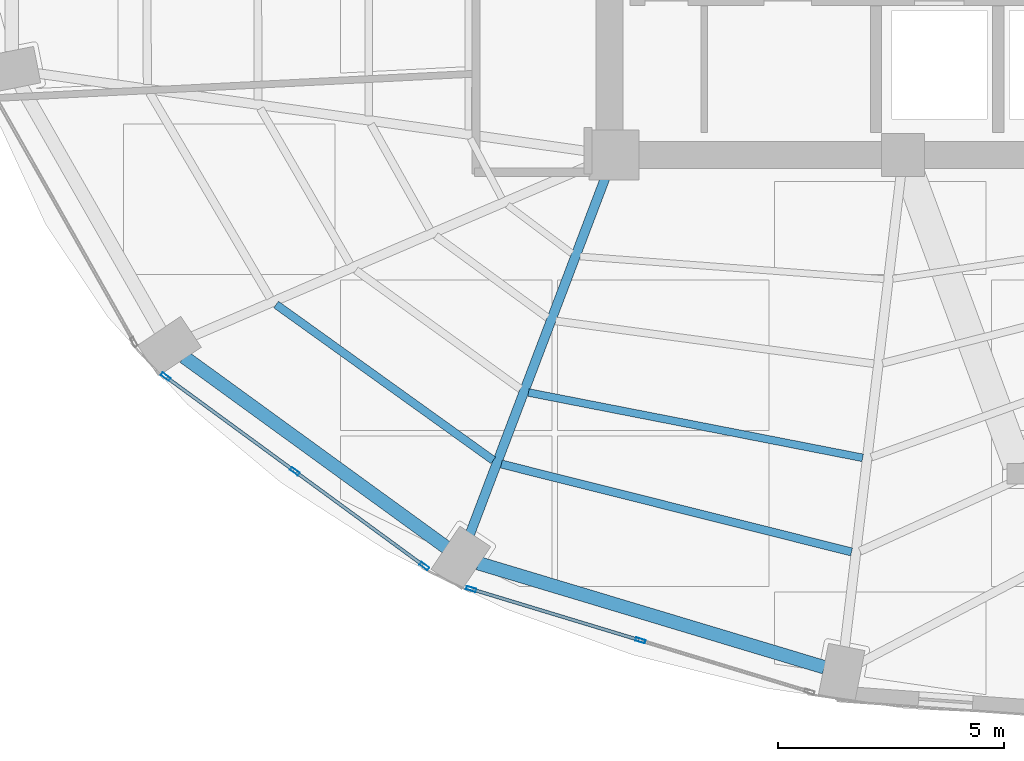
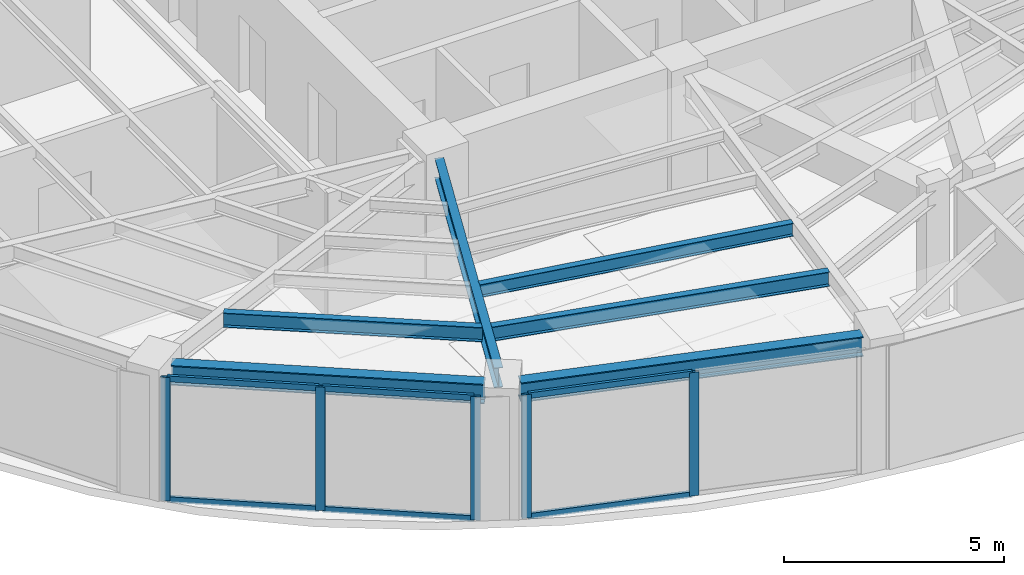
# One storey, part 2 of 20: 11 members, 6 beams, 2 elements without a shape of their own.
"""IFC4 building model written with IfcOpenShell, lengths in metres."""

from ifc_helpers import new_model, si_unit, direction, frame, origin, origin_2d, place, context, subcontext, project, spatial, hollow_rectangle, i_section, extrude, material, layer, layer_set, material_profile, profile_set, type_object, element, aggregate, save


model = new_model("IFC4")

# Units and contexts
model_context = context("Model", 3, precision=1e-05, world=origin(), true_north=direction((0.0, 1.0)))
body_context = subcontext(model_context, "Body", "Model", "MODEL_VIEW")
ifc_project = project(units=[si_unit("LENGTHUNIT", "METRE"), si_unit("AREAUNIT", "SQUARE_METRE"), si_unit("VOLUMEUNIT", "CUBIC_METRE"), si_unit("PLANEANGLEUNIT", "RADIAN"), si_unit("MASSUNIT", "GRAM", prefix="KILO")], contexts=[model_context])

# Site, building, storey
site_placement = place(None, origin())
site = spatial("IfcSite", under=ifc_project, at=site_placement, CompositionType="ELEMENT")
building_placement = place(site_placement, origin())
building = spatial("IfcBuilding", under=site, at=building_placement, Name="Lazwardi Medical Tower", CompositionType="ELEMENT")
storey_placement = place(building_placement, frame((0.0, 0.0, 141.93603515625)))
storey = spatial("IfcBuildingStorey", under=building, at=storey_placement, Name="L36", CompositionType="ELEMENT", Elevation=141.93603515625)

# Beams
ifc_material_1 = material(Name="Steel S355", Category="steel")
ifc_material_profile_1 = material_profile(ifc_material_1, i_section(OverallWidth=0.300048828125, OverallDepth=0.550048828125, WebThickness=0.014892578125, FlangeThickness=0.029052734375, at=origin_2d()), Name="HEB 550")
ifc_profile_set_1 = profile_set([ifc_material_profile_1], Name="Steel S355")
beam_type_1 = type_object("IfcBeamType", Name="BM-RB-Z3", PredefinedType="BEAM", material=ifc_profile_set_1)
beam_1_placement = place(storey_placement, frame((16.88818359375, 15.93408203125, 3.153076171875), z_axis=(0.809127570774, -0.587633026824, 0.0), x_axis=(0.587633026824, 0.809127570774, 0.0)))
element("IfcBeam", 1, at=beam_1_placement, inside=storey, type_object=beam_type_1, Name="Ring beam RB-04 B14 L36", PredefinedType="BEAM", context=body_context, shape_type="SweptSolid", body=[
    extrude(i_section(OverallWidth=0.300048828125, OverallDepth=0.550048828125, WebThickness=0.014892578125, FlangeThickness=0.029052734375, at=origin_2d()), origin(), (0.0, 0.0, 1.0), 7.170166015625),
])
beam_2_placement = place(storey_placement, frame((23.396484375, 11.37060546875, 3.153076171875), z_axis=(0.957616873483, -0.288045002771, 0.0), x_axis=(0.288045002771, 0.957616873483, 0.0)))
element("IfcBeam", 2, at=beam_2_placement, inside=storey, type_object=beam_type_1, Name="Ring beam RB-04 B15 L36", PredefinedType="BEAM", context=body_context, shape_type="SweptSolid", body=[
    extrude(i_section(OverallWidth=0.300048828125, OverallDepth=0.550048828125, WebThickness=0.014892578125, FlangeThickness=0.029052734375, at=origin_2d()), origin(), (0.0, 0.0, 1.0), 7.99951171875),
])
ifc_material_profile_2 = material_profile(ifc_material_1, i_section(OverallWidth=0.2099609375, OverallDepth=0.550048828125, WebThickness=0.010986328125, FlangeThickness=0.01708984375, at=origin_2d()), Name="IPE 550")
ifc_profile_set_2 = profile_set([ifc_material_profile_2], Name="Steel S355")
beam_type_2 = type_object("IfcBeamType", Name="BM-RG-W2", PredefinedType="BEAM", material=ifc_profile_set_2)
beam_3_placement = place(storey_placement, frame((23.21240234375, 12.00927734375, 3.153076171875), z_axis=(0.355126771712, 0.934818151307, 0.0), x_axis=(-0.934818151307, 0.355126771712, 0.0)))
element("IfcBeam", 3, at=beam_3_placement, inside=storey, type_object=beam_type_2, Name="Radial girder RG-03 R15 L36", PredefinedType="BEAM", context=body_context, shape_type="SweptSolid", body=[
    extrude(i_section(OverallWidth=0.2099609375, OverallDepth=0.550048828125, WebThickness=0.010986328125, FlangeThickness=0.01708984375, at=origin_2d()), origin(), (0.0, 0.0, 1.0), 8.44091796875),
])
ifc_material_profile_3 = material_profile(ifc_material_1, i_section(OverallWidth=0.179931640625, OverallDepth=0.39990234375, WebThickness=0.008544921875, FlangeThickness=0.013427734375, at=origin_2d()), Name="IPE 400")
ifc_profile_set_3 = profile_set([ifc_material_profile_3], Name="Steel S355")
beam_type_3 = type_object("IfcBeamType", Name="BM-SJ-01", PredefinedType="JOIST", material=ifc_profile_set_3)
beam_4_placement = place(storey_placement, frame((18.926025390625, 17.091796875, 3.22802734375), z_axis=(0.812602017757, -0.582818977675, 0.0), x_axis=(0.582818977675, 0.812602017757, 0.0)))
element("IfcBeam", 4, at=beam_4_placement, inside=storey, type_object=beam_type_3, Name="Secondary joist SJ-01 R1 B14 L36", PredefinedType="JOIST", context=body_context, shape_type="SweptSolid", body=[
    extrude(i_section(OverallWidth=0.179931640625, OverallDepth=0.39990234375, WebThickness=0.008544921875, FlangeThickness=0.013427734375, at=origin_2d()), origin(), (0.0, 0.0, 1.0), 5.91259765625),
])
beam_5_placement = place(storey_placement, frame((23.908935546875, 13.56298828125, 3.22802734375), z_axis=(0.969933596942, -0.243369713652, 0.0), x_axis=(0.243369713652, 0.969933596942, 0.0)))
element("IfcBeam", 5, at=beam_5_placement, inside=storey, type_object=beam_type_3, Name="Secondary joist SJ-01 R1 B15 L36", PredefinedType="JOIST", context=body_context, shape_type="SweptSolid", body=[
    extrude(i_section(OverallWidth=0.179931640625, OverallDepth=0.39990234375, WebThickness=0.008544921875, FlangeThickness=0.013427734375, at=origin_2d()), origin(), (0.0, 0.0, 1.0), 7.98828125),
])
ifc_material_profile_4 = material_profile(ifc_material_1, i_section(OverallWidth=0.169921875, OverallDepth=0.360107421875, WebThickness=0.008056640625, FlangeThickness=0.0126953125, at=origin_2d()), Name="IPE 360")
ifc_profile_set_4 = profile_set([ifc_material_profile_4], Name="Steel S355")
beam_type_4 = type_object("IfcBeamType", Name="BM-SJ-02", PredefinedType="JOIST", material=ifc_profile_set_4)
beam_6_placement = place(storey_placement, frame((24.509521484375, 15.146484375, 3.248046875), z_axis=(0.98141534692, -0.191895588353, 0.0), x_axis=(0.191895588353, 0.98141534692, 0.0)))
element("IfcBeam", 6, at=beam_6_placement, inside=storey, type_object=beam_type_4, Name="Secondary joist SJ-02 R2 B15 L36", PredefinedType="JOIST", context=body_context, shape_type="SweptSolid", body=[
    extrude(i_section(OverallWidth=0.169921875, OverallDepth=0.360107421875, WebThickness=0.008056640625, FlangeThickness=0.0126953125, at=origin_2d()), origin(), (0.0, 0.0, 1.0), 7.534423828125),
])

# Curtain wall, members
ifc_material_2 = material(Name="Anodised bronze aluminium and solar control glazing", Category="aluminium")
ifc_layer = layer(ifc_material_2, 0.195068359375)
ifc_layer_set = layer_set([ifc_layer], Name="Anodised bronze aluminium and solar control glazing")
curtain_wall_type = type_object("IfcCurtainWallType", Name="CW-SYS-03", PredefinedType="NOTDEFINED", material=ifc_layer_set)
curtain_wall_1_placement = place(storey_placement, origin())
curtain_wall_1 = element("IfcCurtainWall", 7, at=curtain_wall_1_placement, inside=storey, type_object=curtain_wall_type, Name="L36 Unitised bronze curtain wall CW-03", PredefinedType="NOTDEFINED")
ifc_material_3 = material(Name="Anodised bronze aluminium", Category="aluminium")
ifc_material_profile_5 = material_profile(ifc_material_3, hollow_rectangle(XDim=0.074951171875, YDim=0.219970703125, WallThickness=0.00390625, at=origin_2d()), Name="ALU-MULLION 220x75x4")
ifc_profile_set_5 = profile_set([ifc_material_profile_5], Name="Anodised bronze aluminium")
member_type_1 = type_object("IfcMemberType", Name="CW-MUL-01", PredefinedType="MULLION", material=ifc_profile_set_5)
member_1_placement = place(storey_placement, frame((16.480224609375, 15.4970703125, 0.0), z_axis=(0.0, 0.0, 1.0), x_axis=(0.590833862635, 0.806793249082, 0.0)))
member_1 = element("IfcMember", 8, at=member_1_placement, type_object=member_type_1, Name="CW-03 mullion 1", PredefinedType="MULLION", context=body_context, shape_type="SweptSolid", body=[
    extrude(hollow_rectangle(XDim=0.074951171875, YDim=0.219970703125, WallThickness=0.00390625, at=origin_2d()), origin(), (0.0, 0.0, 1.0), 3.427978515625),
])
member_2_placement = place(storey_placement, frame((19.34228515625, 13.401123046875, 0.0), z_axis=(0.0, 0.0, 1.0), x_axis=(0.590833862635, 0.806793249082, 0.0)))
member_2 = element("IfcMember", 9, at=member_2_placement, type_object=member_type_1, Name="CW-03 mullion 2", PredefinedType="MULLION", context=body_context, shape_type="SweptSolid", body=[
    extrude(hollow_rectangle(XDim=0.074951171875, YDim=0.219970703125, WallThickness=0.00390625, at=origin_2d()), origin(), (0.0, 0.0, 1.0), 3.427978515625),
])
member_3_placement = place(storey_placement, frame((22.204345703125, 11.30517578125, 0.0), z_axis=(0.0, 0.0, 1.0), x_axis=(0.590833862635, 0.806793249082, 0.0)))
member_3 = element("IfcMember", 10, at=member_3_placement, type_object=member_type_1, Name="CW-03 mullion 3", PredefinedType="MULLION", context=body_context, shape_type="SweptSolid", body=[
    extrude(hollow_rectangle(XDim=0.074951171875, YDim=0.219970703125, WallThickness=0.00390625, at=origin_2d()), origin(), (0.0, 0.0, 1.0), 3.427978515625),
])

curtain_wall_2_placement = place(storey_placement, origin())
curtain_wall_2 = element("IfcCurtainWall", 11, at=curtain_wall_2_placement, inside=storey, type_object=curtain_wall_type, Name="L36 Unitised bronze curtain wall CW-03", PredefinedType="NOTDEFINED")
member_4_placement = place(storey_placement, frame((23.241943359375, 10.796630859375, 0.0), z_axis=(0.0, 0.0, 1.0), x_axis=(0.290280785441, 0.956941516292, 0.0)))
member_4 = element("IfcMember", 12, at=member_4_placement, type_object=member_type_1, Name="CW-03 mullion 1", PredefinedType="MULLION", context=body_context, shape_type="SweptSolid", body=[
    extrude(hollow_rectangle(XDim=0.074951171875, YDim=0.219970703125, WallThickness=0.00390625, at=origin_2d()), origin(), (0.0, 0.0, 1.0), 3.427978515625),
])
member_5_placement = place(storey_placement, frame((26.98486328125, 9.661376953125, 0.0), z_axis=(0.0, 0.0, 1.0), x_axis=(0.290280785441, 0.956941516292, 0.0)))
member_5 = element("IfcMember", 13, at=member_5_placement, type_object=member_type_1, Name="CW-03 mullion 2", PredefinedType="MULLION", context=body_context, shape_type="SweptSolid", body=[
    extrude(hollow_rectangle(XDim=0.074951171875, YDim=0.219970703125, WallThickness=0.00390625, at=origin_2d()), origin(), (0.0, 0.0, 1.0), 3.427978515625),
])

# Member
ifc_material_profile_6 = material_profile(ifc_material_3, hollow_rectangle(XDim=0.074951171875, YDim=0.159912109375, WallThickness=0.00390625, at=origin_2d()), Name="ALU-TRANSOM 160x75x4")
ifc_profile_set_6 = profile_set([ifc_material_profile_6], Name="Anodised bronze aluminium")
member_type_2 = type_object("IfcMemberType", Name="CW-TRN-01", PredefinedType="USERDEFINED", material=ifc_profile_set_6)
member_6_placement = place(storey_placement, frame((16.510498046875, 15.474853515625, 0.037353515625), z_axis=(0.806807161185, -0.590814864962, 0.0), x_axis=(0.590814864962, 0.806807161185, 0.0)))
member_6 = element("IfcMember", 14, at=member_6_placement, type_object=member_type_2, Name="CW-03 transom 1.1", ObjectType="TRANSOM", PredefinedType="USERDEFINED", context=body_context, shape_type="SweptSolid", body=[
    extrude(hollow_rectangle(XDim=0.074951171875, YDim=0.159912109375, WallThickness=0.00390625, at=origin_2d()), origin(), (0.0, 0.0, 1.0), 3.472412109375),
])

member_7_placement = place(storey_placement, frame((16.510498046875, 15.474853515625, 3.390380859375), z_axis=(0.806807161185, -0.590814864962, 0.0), x_axis=(0.590814864962, 0.806807161185, 0.0)))
member_7 = element("IfcMember", 15, at=member_7_placement, type_object=member_type_2, Name="CW-03 transom 1.2", ObjectType="TRANSOM", PredefinedType="USERDEFINED", context=body_context, shape_type="SweptSolid", body=[
    extrude(hollow_rectangle(XDim=0.074951171875, YDim=0.159912109375, WallThickness=0.00390625, at=origin_2d()), origin(), (0.0, 0.0, 1.0), 3.472412109375),
])

member_8_placement = place(storey_placement, frame((19.37255859375, 13.37890625, 0.037353515625), z_axis=(0.806807161185, -0.590814864962, 0.0), x_axis=(0.590814864962, 0.806807161185, 0.0)))
member_8 = element("IfcMember", 16, at=member_8_placement, type_object=member_type_2, Name="CW-03 transom 2.1", ObjectType="TRANSOM", PredefinedType="USERDEFINED", context=body_context, shape_type="SweptSolid", body=[
    extrude(hollow_rectangle(XDim=0.074951171875, YDim=0.159912109375, WallThickness=0.00390625, at=origin_2d()), origin(), (0.0, 0.0, 1.0), 3.472412109375),
])

member_9_placement = place(storey_placement, frame((19.37255859375, 13.37890625, 3.390380859375), z_axis=(0.806807161185, -0.590814864962, 0.0), x_axis=(0.590814864962, 0.806807161185, 0.0)))
member_9 = element("IfcMember", 17, at=member_9_placement, type_object=member_type_2, Name="CW-03 transom 2.2", ObjectType="TRANSOM", PredefinedType="USERDEFINED", context=body_context, shape_type="SweptSolid", body=[
    extrude(hollow_rectangle(XDim=0.074951171875, YDim=0.159912109375, WallThickness=0.00390625, at=origin_2d()), origin(), (0.0, 0.0, 1.0), 3.472412109375),
])

aggregate(curtain_wall_1, [member_1, member_2, member_3, member_6, member_7, member_8, member_9])

member_10_placement = place(storey_placement, frame((23.27783203125, 10.785888671875, 0.037353515625), z_axis=(0.956930154175, -0.290318239233, 0.0), x_axis=(0.290318239233, 0.956930154175, 0.0)))
member_10 = element("IfcMember", 18, at=member_10_placement, type_object=member_type_2, Name="CW-03 transom 1.1", ObjectType="TRANSOM", PredefinedType="USERDEFINED", context=body_context, shape_type="SweptSolid", body=[
    extrude(hollow_rectangle(XDim=0.074951171875, YDim=0.159912109375, WallThickness=0.00390625, at=origin_2d()), origin(), (0.0, 0.0, 1.0), 3.83642578125),
])

member_11_placement = place(storey_placement, frame((23.27783203125, 10.785888671875, 3.390380859375), z_axis=(0.956930154175, -0.290318239233, 0.0), x_axis=(0.290318239233, 0.956930154175, 0.0)))
member_11 = element("IfcMember", 19, at=member_11_placement, type_object=member_type_2, Name="CW-03 transom 1.2", ObjectType="TRANSOM", PredefinedType="USERDEFINED", context=body_context, shape_type="SweptSolid", body=[
    extrude(hollow_rectangle(XDim=0.074951171875, YDim=0.159912109375, WallThickness=0.00390625, at=origin_2d()), origin(), (0.0, 0.0, 1.0), 3.83642578125),
])

aggregate(curtain_wall_2, [member_4, member_5, member_10, member_11])

save(model, "model.ifc")
